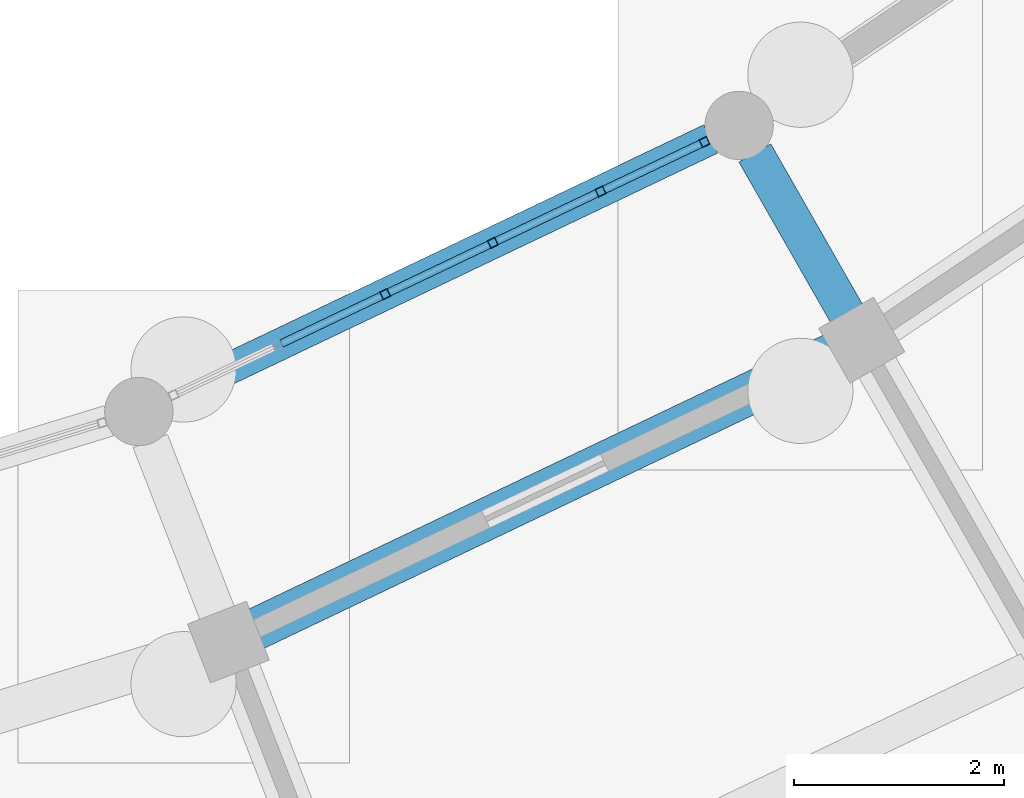
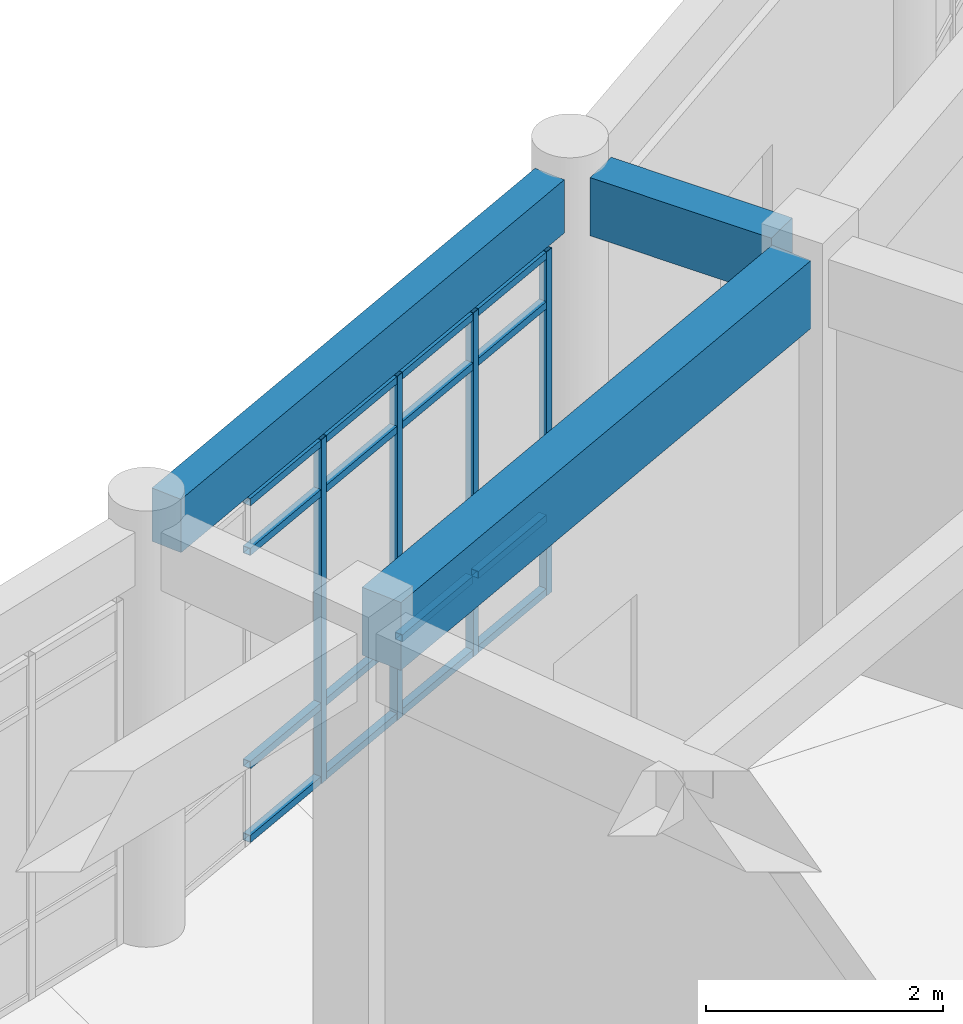
# One storey, part 46 of 153: 20 members, 3 beams, 1 element without a shape of its own.
"""IFC4 building model written with IfcOpenShell, lengths in metres."""

from ifc_helpers import new_model, si_unit, direction, frame, origin, origin_2d, place, context, subcontext, project, spatial, rectangle, hollow_rectangle, extrude, material, material_profile, profile_set, type_object, element, aggregate, save


model = new_model("IFC4")

# Units and contexts
model_context = context("Model", 3, precision=1e-05, world=origin(), true_north=direction((0.0, 1.0)))
body_context = subcontext(model_context, "Body", "Model", "MODEL_VIEW")
ifc_project = project(units=[si_unit("LENGTHUNIT", "METRE"), si_unit("AREAUNIT", "SQUARE_METRE"), si_unit("VOLUMEUNIT", "CUBIC_METRE"), si_unit("PLANEANGLEUNIT", "RADIAN"), si_unit("MASSUNIT", "GRAM", prefix="KILO")], contexts=[model_context])

# Site, building, storey
site_placement = place(None, origin())
site = spatial("IfcSite", under=ifc_project, at=site_placement, CompositionType="ELEMENT")
building_placement = place(site_placement, origin())
building = spatial("IfcBuilding", under=site, at=building_placement, Name="Celadon Cloister-Ring School", CompositionType="ELEMENT")
storey_placement = place(building_placement, origin())
storey = spatial("IfcBuildingStorey", under=building, at=storey_placement, Name="L00", CompositionType="ELEMENT", Elevation=0.0)

# Beam
ifc_material_1 = material(Name="Concrete C35/45", Category="concrete")
ifc_material_profile_1 = material_profile(ifc_material_1, rectangle(XDim=0.35009765625, YDim=0.60009765625, at=origin_2d()), Name="RC350X600")
ifc_profile_set_1 = profile_set([ifc_material_profile_1], Name="Concrete C35/45")
beam_type_1 = type_object("IfcBeamType", Name="BT-02", PredefinedType="BEAM", material=ifc_profile_set_1)
beam_1_placement = place(storey_placement, frame((109.18408203125, 20.1650390625, 3.97998046875), z_axis=(-0.496183405226, 0.868217730975, 0.0), x_axis=(-0.868217730975, -0.496183405226, 0.0)))
element("IfcBeam", 1, at=beam_1_placement, inside=storey, type_object=beam_type_1, Name="Beam 0041", PredefinedType="BEAM", context=body_context, shape_type="SweptSolid", body=[
    extrude(rectangle(XDim=0.35009765625, YDim=0.60009765625, at=origin_2d()), origin(), (0.0, 0.0, 1.0), 1.773681640625),
])

# Curtain wall, members
ifc_material_2 = material(Name="Aluminium EN AW-6063 T6", Category="aluminium")
curtain_wall_type = type_object("IfcCurtainWallType", Name="CW-01", PredefinedType="USERDEFINED", material=ifc_material_2)
curtain_wall_placement = place(storey_placement, origin())
curtain_wall = element("IfcCurtainWall", 2, at=curtain_wall_placement, inside=storey, type_object=curtain_wall_type, Name="Curtain Wall 0012", ObjectType="CURTAIN WALL", PredefinedType="USERDEFINED")
ifc_material_3 = material(Name="Aluminium EN AW-6063 T6", Category="aluminium")
ifc_material_profile_2 = material_profile(ifc_material_3, hollow_rectangle(XDim=0.080078125, YDim=0.080078125, WallThickness=0.00390625, at=origin_2d()), Name="RHS80X80X4")
ifc_profile_set_2 = profile_set([ifc_material_profile_2], Name="Aluminium EN AW-6063 T6")
member_type_1 = type_object("IfcMemberType", Name="CM-03", PredefinedType="MULLION", material=ifc_profile_set_2)
member_1_placement = place(storey_placement, frame((104.791259765625, 20.362548828125, 0.0), z_axis=(0.0, 0.0, 1.0), x_axis=(-0.430200582842, 0.902733326361, 0.0)))
member_1 = element("IfcMember", 3, at=member_1_placement, type_object=member_type_1, Name="CW-01 mullion 3", PredefinedType="MULLION", context=body_context, shape_type="SweptSolid", body=[
    extrude(hollow_rectangle(XDim=0.080078125, YDim=0.080078125, WallThickness=0.00390625, at=origin_2d()), origin(), (0.0, 0.0, 1.0), 3.550048828125),
])
member_2_placement = place(storey_placement, frame((105.814697265625, 20.850341796875, 0.0), z_axis=(0.0, 0.0, 1.0), x_axis=(-0.430200582842, 0.902733326361, 0.0)))
member_2 = element("IfcMember", 4, at=member_2_placement, type_object=member_type_1, Name="CW-01 mullion 4", PredefinedType="MULLION", context=body_context, shape_type="SweptSolid", body=[
    extrude(hollow_rectangle(XDim=0.080078125, YDim=0.080078125, WallThickness=0.00390625, at=origin_2d()), origin(), (0.0, 0.0, 1.0), 3.550048828125),
])
member_3_placement = place(storey_placement, frame((106.83837890625, 21.338134765625, 0.0), z_axis=(0.0, 0.0, 1.0), x_axis=(-0.430200582842, 0.902733326361, 0.0)))
member_3 = element("IfcMember", 5, at=member_3_placement, type_object=member_type_1, Name="CW-01 mullion 5", PredefinedType="MULLION", context=body_context, shape_type="SweptSolid", body=[
    extrude(hollow_rectangle(XDim=0.080078125, YDim=0.080078125, WallThickness=0.00390625, at=origin_2d()), origin(), (0.0, 0.0, 1.0), 3.550048828125),
])
member_4_placement = place(storey_placement, frame((107.825927734375, 21.808837890625, 0.0), z_axis=(0.0, 0.0, 1.0), x_axis=(-0.430200582842, 0.902733326361, 0.0)))
member_4 = element("IfcMember", 6, at=member_4_placement, type_object=member_type_1, Name="CW-01 mullion 6", PredefinedType="MULLION", context=body_context, shape_type="SweptSolid", body=[
    extrude(hollow_rectangle(XDim=0.080078125, YDim=0.080078125, WallThickness=0.00390625, at=origin_2d()), origin(), (0.0, 0.0, 1.0), 3.550048828125),
])
ifc_material_4 = material(Name="Aluminium EN AW-6063 T6", Category="aluminium")
ifc_material_profile_3 = material_profile(ifc_material_4, hollow_rectangle(XDim=0.074951171875, YDim=0.074951171875, WallThickness=0.00390625, at=origin_2d()), Name="RHS75X75X4")
ifc_profile_set_3 = profile_set([ifc_material_profile_3], Name="Aluminium EN AW-6063 T6")
member_type_2 = type_object("IfcMemberType", Name="CTM-03", PredefinedType="USERDEFINED", material=ifc_profile_set_3)
member_5_placement = place(storey_placement, frame((103.8037109375, 19.89208984375, 0.03759765625), z_axis=(0.902744874657, 0.430176349048, 0.0), x_axis=(-0.430176349048, 0.902744874657, 0.0)))
member_5 = element("IfcMember", 7, at=member_5_placement, type_object=member_type_2, Name="CW-01 transom 2.1", ObjectType="TRANSOM", PredefinedType="USERDEFINED", context=body_context, shape_type="SweptSolid", body=[
    extrude(hollow_rectangle(XDim=0.074951171875, YDim=0.074951171875, WallThickness=0.00390625, at=origin_2d()), origin(), (0.0, 0.0, 1.0), 1.053955078125),
])
member_6_placement = place(storey_placement, frame((103.8037109375, 19.89208984375, 0.800048828125), z_axis=(0.902744874657, 0.430176349048, 0.0), x_axis=(-0.430176349048, 0.902744874657, 0.0)))
member_6 = element("IfcMember", 8, at=member_6_placement, type_object=member_type_2, Name="CW-01 transom 2.2", ObjectType="TRANSOM", PredefinedType="USERDEFINED", context=body_context, shape_type="SweptSolid", body=[
    extrude(hollow_rectangle(XDim=0.074951171875, YDim=0.074951171875, WallThickness=0.00390625, at=origin_2d()), origin(), (0.0, 0.0, 1.0), 1.053955078125),
])
member_7_placement = place(storey_placement, frame((103.8037109375, 19.89208984375, 3.0), z_axis=(0.902744874657, 0.430176349048, 0.0), x_axis=(-0.430176349048, 0.902744874657, 0.0)))
member_7 = element("IfcMember", 9, at=member_7_placement, type_object=member_type_2, Name="CW-01 transom 2.3", ObjectType="TRANSOM", PredefinedType="USERDEFINED", context=body_context, shape_type="SweptSolid", body=[
    extrude(hollow_rectangle(XDim=0.074951171875, YDim=0.074951171875, WallThickness=0.00390625, at=origin_2d()), origin(), (0.0, 0.0, 1.0), 1.053955078125),
])
member_8_placement = place(storey_placement, frame((103.8037109375, 19.89208984375, 3.512451171875), z_axis=(0.902744874657, 0.430176349048, 0.0), x_axis=(-0.430176349048, 0.902744874657, 0.0)))
member_8 = element("IfcMember", 10, at=member_8_placement, type_object=member_type_2, Name="CW-01 transom 2.4", ObjectType="TRANSOM", PredefinedType="USERDEFINED", context=body_context, shape_type="SweptSolid", body=[
    extrude(hollow_rectangle(XDim=0.074951171875, YDim=0.074951171875, WallThickness=0.00390625, at=origin_2d()), origin(), (0.0, 0.0, 1.0), 1.053955078125),
])
member_9_placement = place(storey_placement, frame((104.827392578125, 20.3798828125, 0.03759765625), z_axis=(0.902744874657, 0.430176349048, 0.0), x_axis=(-0.430176349048, 0.902744874657, 0.0)))
member_9 = element("IfcMember", 11, at=member_9_placement, type_object=member_type_2, Name="CW-01 transom 3.1", ObjectType="TRANSOM", PredefinedType="USERDEFINED", context=body_context, shape_type="SweptSolid", body=[
    extrude(hollow_rectangle(XDim=0.074951171875, YDim=0.074951171875, WallThickness=0.00390625, at=origin_2d()), origin(), (0.0, 0.0, 1.0), 1.053955078125),
])
member_10_placement = place(storey_placement, frame((104.827392578125, 20.3798828125, 0.800048828125), z_axis=(0.902744874657, 0.430176349048, 0.0), x_axis=(-0.430176349048, 0.902744874657, 0.0)))
member_10 = element("IfcMember", 12, at=member_10_placement, type_object=member_type_2, Name="CW-01 transom 3.2", ObjectType="TRANSOM", PredefinedType="USERDEFINED", context=body_context, shape_type="SweptSolid", body=[
    extrude(hollow_rectangle(XDim=0.074951171875, YDim=0.074951171875, WallThickness=0.00390625, at=origin_2d()), origin(), (0.0, 0.0, 1.0), 1.053955078125),
])
member_11_placement = place(storey_placement, frame((104.827392578125, 20.3798828125, 3.0), z_axis=(0.902744874657, 0.430176349048, 0.0), x_axis=(-0.430176349048, 0.902744874657, 0.0)))
member_11 = element("IfcMember", 13, at=member_11_placement, type_object=member_type_2, Name="CW-01 transom 3.3", ObjectType="TRANSOM", PredefinedType="USERDEFINED", context=body_context, shape_type="SweptSolid", body=[
    extrude(hollow_rectangle(XDim=0.074951171875, YDim=0.074951171875, WallThickness=0.00390625, at=origin_2d()), origin(), (0.0, 0.0, 1.0), 1.053955078125),
])
member_12_placement = place(storey_placement, frame((104.827392578125, 20.3798828125, 3.512451171875), z_axis=(0.902744874657, 0.430176349048, 0.0), x_axis=(-0.430176349048, 0.902744874657, 0.0)))
member_12 = element("IfcMember", 14, at=member_12_placement, type_object=member_type_2, Name="CW-01 transom 3.4", ObjectType="TRANSOM", PredefinedType="USERDEFINED", context=body_context, shape_type="SweptSolid", body=[
    extrude(hollow_rectangle(XDim=0.074951171875, YDim=0.074951171875, WallThickness=0.00390625, at=origin_2d()), origin(), (0.0, 0.0, 1.0), 1.053955078125),
])
member_13_placement = place(storey_placement, frame((105.850830078125, 20.86767578125, 0.03759765625), z_axis=(0.902744874657, 0.430176349048, 0.0), x_axis=(-0.430176349048, 0.902744874657, 0.0)))
member_13 = element("IfcMember", 15, at=member_13_placement, type_object=member_type_2, Name="CW-01 transom 4.1", ObjectType="TRANSOM", PredefinedType="USERDEFINED", context=body_context, shape_type="SweptSolid", body=[
    extrude(hollow_rectangle(XDim=0.074951171875, YDim=0.074951171875, WallThickness=0.00390625, at=origin_2d()), origin(), (0.0, 0.0, 1.0), 1.053955078125),
])
member_14_placement = place(storey_placement, frame((105.850830078125, 20.86767578125, 0.800048828125), z_axis=(0.902744874657, 0.430176349048, 0.0), x_axis=(-0.430176349048, 0.902744874657, 0.0)))
member_14 = element("IfcMember", 16, at=member_14_placement, type_object=member_type_2, Name="CW-01 transom 4.2", ObjectType="TRANSOM", PredefinedType="USERDEFINED", context=body_context, shape_type="SweptSolid", body=[
    extrude(hollow_rectangle(XDim=0.074951171875, YDim=0.074951171875, WallThickness=0.00390625, at=origin_2d()), origin(), (0.0, 0.0, 1.0), 1.053955078125),
])
member_15_placement = place(storey_placement, frame((105.850830078125, 20.86767578125, 3.0), z_axis=(0.902744874657, 0.430176349048, 0.0), x_axis=(-0.430176349048, 0.902744874657, 0.0)))
member_15 = element("IfcMember", 17, at=member_15_placement, type_object=member_type_2, Name="CW-01 transom 4.3", ObjectType="TRANSOM", PredefinedType="USERDEFINED", context=body_context, shape_type="SweptSolid", body=[
    extrude(hollow_rectangle(XDim=0.074951171875, YDim=0.074951171875, WallThickness=0.00390625, at=origin_2d()), origin(), (0.0, 0.0, 1.0), 1.053955078125),
])
member_16_placement = place(storey_placement, frame((105.850830078125, 20.86767578125, 3.512451171875), z_axis=(0.902744874657, 0.430176349048, 0.0), x_axis=(-0.430176349048, 0.902744874657, 0.0)))
member_16 = element("IfcMember", 18, at=member_16_placement, type_object=member_type_2, Name="CW-01 transom 4.4", ObjectType="TRANSOM", PredefinedType="USERDEFINED", context=body_context, shape_type="SweptSolid", body=[
    extrude(hollow_rectangle(XDim=0.074951171875, YDim=0.074951171875, WallThickness=0.00390625, at=origin_2d()), origin(), (0.0, 0.0, 1.0), 1.053955078125),
])
member_17_placement = place(storey_placement, frame((106.87451171875, 21.35546875, 0.03759765625), z_axis=(0.902789287797, 0.430083133637, 0.0), x_axis=(-0.430083133637, 0.902789287797, 0.0)))
member_17 = element("IfcMember", 19, at=member_17_placement, type_object=member_type_2, Name="CW-01 transom 5.1", ObjectType="TRANSOM", PredefinedType="USERDEFINED", context=body_context, shape_type="SweptSolid", body=[
    extrude(hollow_rectangle(XDim=0.074951171875, YDim=0.074951171875, WallThickness=0.00390625, at=origin_2d()), origin(), (0.0, 0.0, 1.0), 1.013916015625),
])
member_18_placement = place(storey_placement, frame((106.87451171875, 21.35546875, 0.800048828125), z_axis=(0.902789287797, 0.430083133637, 0.0), x_axis=(-0.430083133637, 0.902789287797, 0.0)))
member_18 = element("IfcMember", 20, at=member_18_placement, type_object=member_type_2, Name="CW-01 transom 5.2", ObjectType="TRANSOM", PredefinedType="USERDEFINED", context=body_context, shape_type="SweptSolid", body=[
    extrude(hollow_rectangle(XDim=0.074951171875, YDim=0.074951171875, WallThickness=0.00390625, at=origin_2d()), origin(), (0.0, 0.0, 1.0), 1.013916015625),
])
member_19_placement = place(storey_placement, frame((106.87451171875, 21.35546875, 3.0), z_axis=(0.902789287797, 0.430083133637, 0.0), x_axis=(-0.430083133637, 0.902789287797, 0.0)))
member_19 = element("IfcMember", 21, at=member_19_placement, type_object=member_type_2, Name="CW-01 transom 5.3", ObjectType="TRANSOM", PredefinedType="USERDEFINED", context=body_context, shape_type="SweptSolid", body=[
    extrude(hollow_rectangle(XDim=0.074951171875, YDim=0.074951171875, WallThickness=0.00390625, at=origin_2d()), origin(), (0.0, 0.0, 1.0), 1.013916015625),
])
member_20_placement = place(storey_placement, frame((106.87451171875, 21.35546875, 3.512451171875), z_axis=(0.902789287797, 0.430083133637, 0.0), x_axis=(-0.430083133637, 0.902789287797, 0.0)))
member_20 = element("IfcMember", 22, at=member_20_placement, type_object=member_type_2, Name="CW-01 transom 5.4", ObjectType="TRANSOM", PredefinedType="USERDEFINED", context=body_context, shape_type="SweptSolid", body=[
    extrude(hollow_rectangle(XDim=0.074951171875, YDim=0.074951171875, WallThickness=0.00390625, at=origin_2d()), origin(), (0.0, 0.0, 1.0), 1.013916015625),
])
aggregate(curtain_wall, [member_1, member_2, member_3, member_4, member_5, member_6, member_7, member_8, member_9, member_10, member_11, member_12, member_13, member_14, member_15, member_16, member_17, member_18, member_19, member_20])

# Beams
ifc_material_5 = material(Name="Concrete C35/45", Category="concrete")
ifc_material_profile_4 = material_profile(ifc_material_5, rectangle(XDim=0.39990234375, YDim=0.699951171875, at=origin_2d()), Name="RC400X700")
ifc_profile_set_4 = profile_set([ifc_material_profile_4], Name="Concrete C35/45")
beam_type_2 = type_object("IfcBeamType", Name="GT-03", PredefinedType="USERDEFINED", material=ifc_profile_set_4)
beam_2_placement = place(storey_placement, frame((103.550048828125, 17.175048828125, 3.929931640625), z_axis=(0.902635406481, 0.430405997829, 0.0), x_axis=(-0.430405997829, 0.902635406481, 0.0)))
element("IfcBeam", 23, at=beam_2_placement, inside=storey, type_object=beam_type_2, Name="Beam 0142", ObjectType="GIRDER", PredefinedType="USERDEFINED", context=body_context, shape_type="SweptSolid", body=[
    extrude(rectangle(XDim=0.39990234375, YDim=0.699951171875, at=origin_2d()), origin(), (0.0, 0.0, 1.0), 6.11767578125),
])
ifc_material_6 = material(Name="Concrete C35/45", Category="concrete")
ifc_material_profile_5 = material_profile(ifc_material_6, rectangle(XDim=0.300048828125, YDim=0.550048828125, at=origin_2d()), Name="RC300X550")
ifc_profile_set_5 = profile_set([ifc_material_profile_5], Name="Concrete C35/45")
beam_type_3 = type_object("IfcBeamType", Name="SP-02", PredefinedType="SPANDREL", material=ifc_profile_set_5)
beam_3_placement = place(storey_placement, frame((102.721923828125, 19.3759765625, 4.0048828125), z_axis=(0.902671041533, 0.430331257031, 0.0), x_axis=(-0.430331257031, 0.902671041533, 0.0)))
element("IfcBeam", 24, at=beam_3_placement, inside=storey, type_object=beam_type_3, Name="Beam 0143", PredefinedType="SPANDREL", context=body_context, shape_type="SweptSolid", body=[
    extrude(rectangle(XDim=0.300048828125, YDim=0.550048828125, at=origin_2d()), origin(), (0.0, 0.0, 1.0), 5.71875),
])

save(model, "model.ifc")
